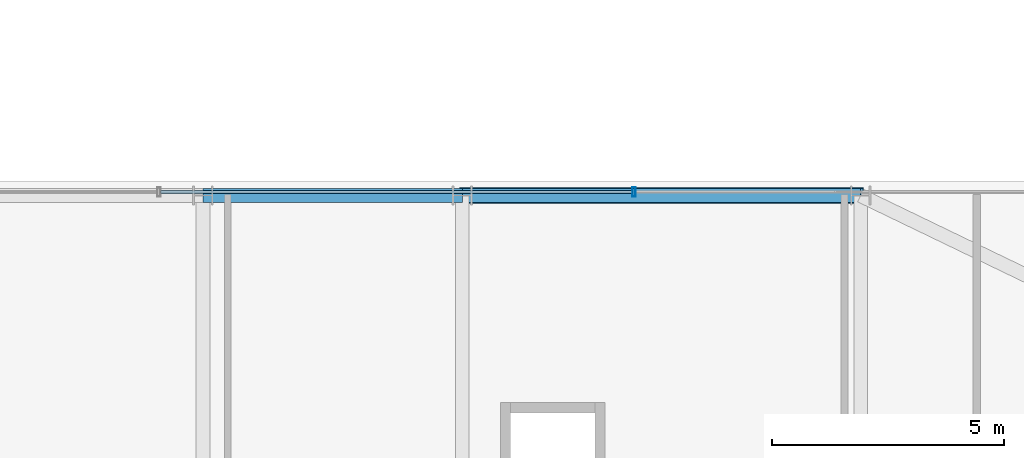
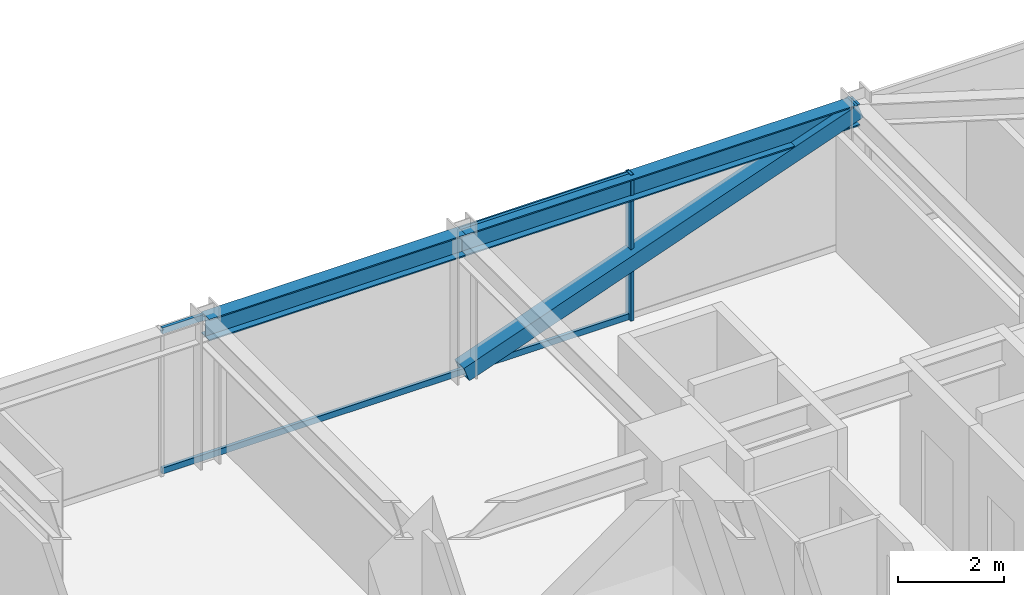
# One storey, part 32 of 42: 4 members, 2 beams, 1 element without a shape of its own.
"""IFC4 building model written with IfcOpenShell, lengths in metres."""

from ifc_helpers import new_model, si_unit, direction, frame, origin, origin_2d, place, context, subcontext, project, spatial, hollow_rectangle, i_section, extrude, source, transform, mapped, material, material_profile, profile_set, type_object, element, aggregate, save


model = new_model("IFC4")

# Units and contexts
model_context = context("Model", 3, precision=1e-05, world=origin(), true_north=direction((0.0, 1.0)))
body_context = subcontext(model_context, "Body", "Model", "MODEL_VIEW")
ifc_project = project(units=[si_unit("LENGTHUNIT", "METRE"), si_unit("AREAUNIT", "SQUARE_METRE"), si_unit("VOLUMEUNIT", "CUBIC_METRE"), si_unit("PLANEANGLEUNIT", "RADIAN"), si_unit("MASSUNIT", "GRAM", prefix="KILO")], contexts=[model_context])

# Site, building, storey
site_placement = place(None, origin())
site = spatial("IfcSite", under=ifc_project, at=site_placement, CompositionType="ELEMENT")
building_placement = place(site_placement, origin())
building = spatial("IfcBuilding", under=site, at=building_placement, Name="Nahalor Promenade Grand Hotel", CompositionType="ELEMENT")
storey_placement = place(building_placement, frame((0.0, 0.0, 61.60009765625)))
storey = spatial("IfcBuildingStorey", under=building, at=storey_placement, Name="L14", CompositionType="ELEMENT", Elevation=61.60009765625)

# Beams
ifc_material_1 = material(Name="Steel S355JR", Category="steel")
ifc_material_profile_1 = material_profile(ifc_material_1, i_section(OverallWidth=0.3, OverallDepth=0.5, WebThickness=0.0145, FlangeThickness=0.028, at=origin_2d()), Name="HEB 500")
ifc_profile_set_1 = profile_set([ifc_material_profile_1], Name="Steel S355JR")
beam_type = type_object("IfcBeamType", Name="Beam-Spandrel-HEB500", PredefinedType="SPANDREL", material=ifc_profile_set_1)
shared_shape_1 = source(origin(), body_context, "Body", "SweptSolid", [
    extrude(i_section(OverallWidth=0.3, OverallDepth=0.5, WebThickness=0.0145, FlangeThickness=0.028, at=origin_2d()), origin(), (0.0, 0.0, 1.0), 8.60009765625),
])
beam_1_placement = place(storey_placement, frame((8.39990234375, 25.080078125, 3.119873046875), z_axis=(1.0, 0.0, 0.0), x_axis=(0.0, 1.0, 0.0)))
element("IfcBeam", 1, at=beam_1_placement, inside=storey, type_object=beam_type, Name="BM-L14-SP-N-4", PredefinedType="SPANDREL", context=body_context, shape_type="MappedRepresentation", body=[
    mapped(shared_shape_1, transform((0.0, 0.0, 0.0), scale=1.0)),
])
shared_shape_2 = source(origin(), body_context, "Body", "SweptSolid", [
    extrude(i_section(OverallWidth=0.3, OverallDepth=0.5, WebThickness=0.0145, FlangeThickness=0.028, at=origin_2d()), origin(), (0.0, 0.0, 1.0), 5.599853515625),
])
beam_2_placement = place(storey_placement, frame((2.800048828125, 25.080078125, 3.119873046875), z_axis=(1.0, 0.0, 0.0), x_axis=(0.0, 1.0, 0.0)))
element("IfcBeam", 2, at=beam_2_placement, inside=storey, type_object=beam_type, Name="BM-L14-SP-N-3", PredefinedType="SPANDREL", context=body_context, shape_type="MappedRepresentation", body=[
    mapped(shared_shape_2, transform((0.0, 0.0, 0.0), scale=1.0)),
])

# Member
ifc_material_profile_2 = material_profile(ifc_material_1, hollow_rectangle(XDim=0.35, YDim=0.35, WallThickness=0.02, at=origin_2d()), Name="SHS 350x350x20")
ifc_profile_set_2 = profile_set([ifc_material_profile_2], Name="Steel S355JR")
member_type_1 = type_object("IfcMemberType", Name="Mem-VoidBrace-SHS350", PredefinedType="BRACE", material=ifc_profile_set_2)
shared_shape_3 = source(origin(), body_context, "Body", "SweptSolid", [
    extrude(hollow_rectangle(XDim=0.35, YDim=0.35, WallThickness=0.02, at=origin_2d()), origin(), (0.0, 0.0, 1.0), 9.131591796875),
])
member_1_placement = place(storey_placement, frame((8.39990234375, 25.080078125, 0.14990234375), z_axis=(0.941790292179, 0.0, 0.336200900589), x_axis=(0.0, 1.0, 0.0)))
element("IfcMember", 3, at=member_1_placement, inside=storey, type_object=member_type_1, Name="EXO-L14-N-1", PredefinedType="BRACE", context=body_context, shape_type="MappedRepresentation", body=[
    mapped(shared_shape_3, transform((0.0, 0.0, 0.0), scale=1.0)),
])

# Curtain wall, members
ifc_material_2 = material(Name="Anodised Bronze Aluminium EN AW-6063 T6", Category="aluminium")
curtain_wall_type = type_object("IfcCurtainWallType", Name="CW3 Elliptical-Void Collar Unitised Curtain Wall", PredefinedType="USERDEFINED", material=ifc_material_2)
curtain_wall_placement = place(storey_placement, origin())
curtain_wall = element("IfcCurtainWall", 4, at=curtain_wall_placement, inside=storey, type_object=curtain_wall_type, Name="L14 Curtain Wall CW-L14-N-3", ObjectType="UNITISED_CURTAIN_WALL", PredefinedType="USERDEFINED")
ifc_material_profile_3 = material_profile(ifc_material_2, hollow_rectangle(XDim=0.07, YDim=0.2, WallThickness=0.005, at=origin_2d()), Name="CWM 70x200x5")
ifc_profile_set_3 = profile_set([ifc_material_profile_3], Name="Anodised Bronze Aluminium EN AW-6063 T6")
member_type_2 = type_object("IfcMemberType", Name="CWM3 Void Collar Mullion 70x200", PredefinedType="MULLION", material=ifc_profile_set_3)
shared_shape_4 = source(origin(), body_context, "Body", "SweptSolid", [
    extrude(hollow_rectangle(XDim=0.07, YDim=0.2, WallThickness=0.005, at=origin_2d()), origin(), (0.0, 0.0, 1.0), 3.369873046875),
])
member_2_placement = place(storey_placement, frame((12.106689453125, 25.159912109375, 0.0), z_axis=(0.0, 0.0, 1.0), x_axis=(1.0, 0.0, 0.0)))
member_2 = element("IfcMember", 5, at=member_2_placement, type_object=member_type_2, Name="CW-L14-N-3 Mullion 2", PredefinedType="MULLION", context=body_context, shape_type="MappedRepresentation", body=[
    mapped(shared_shape_4, transform((0.0, 0.0, 0.0), scale=1.0)),
])
ifc_material_profile_4 = material_profile(ifc_material_2, hollow_rectangle(XDim=0.07, YDim=0.14, WallThickness=0.004, at=origin_2d()), Name="CWT 70x140x4")
ifc_profile_set_4 = profile_set([ifc_material_profile_4], Name="Anodised Bronze Aluminium EN AW-6063 T6")
member_type_3 = type_object("IfcMemberType", Name="CWT3 Void Collar Transom 70x140", PredefinedType="USERDEFINED", material=ifc_profile_set_4)
shared_shape_5 = source(origin(), body_context, "Body", "SweptSolid", [
    extrude(hollow_rectangle(XDim=0.07, YDim=0.14, WallThickness=0.004, at=origin_2d()), origin(), (0.0, 0.0, 1.0), 10.183349609375),
])
member_3_placement = place(storey_placement, frame((1.888427734375, 25.159912109375, 0.06982421875), z_axis=(1.0, 0.0, 0.0), x_axis=(0.0, 1.0, 0.0)))
member_3 = element("IfcMember", 6, at=member_3_placement, type_object=member_type_3, Name="CW-L14-N-3 Transom 1-0", ObjectType="TRANSOM", PredefinedType="USERDEFINED", context=body_context, shape_type="MappedRepresentation", body=[
    mapped(shared_shape_5, transform((0.0, 0.0, 0.0), scale=1.0)),
])
member_4_placement = place(storey_placement, frame((1.888427734375, 25.159912109375, 3.2998046875), z_axis=(1.0, 0.0, 0.0), x_axis=(0.0, 1.0, 0.0)))
member_4 = element("IfcMember", 7, at=member_4_placement, type_object=member_type_3, Name="CW-L14-N-3 Transom 1-1", ObjectType="TRANSOM", PredefinedType="USERDEFINED", context=body_context, shape_type="MappedRepresentation", body=[
    mapped(shared_shape_5, transform((0.0, 0.0, 0.0), scale=1.0)),
])
aggregate(curtain_wall, [member_2, member_3, member_4])

save(model, "model.ifc")
